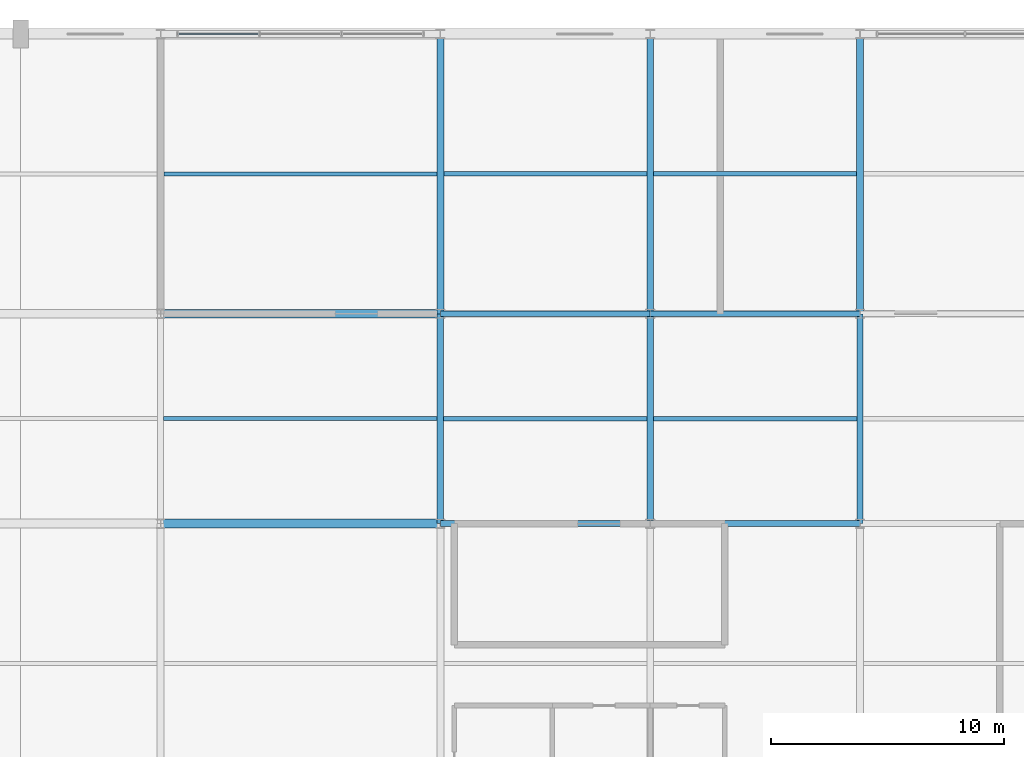
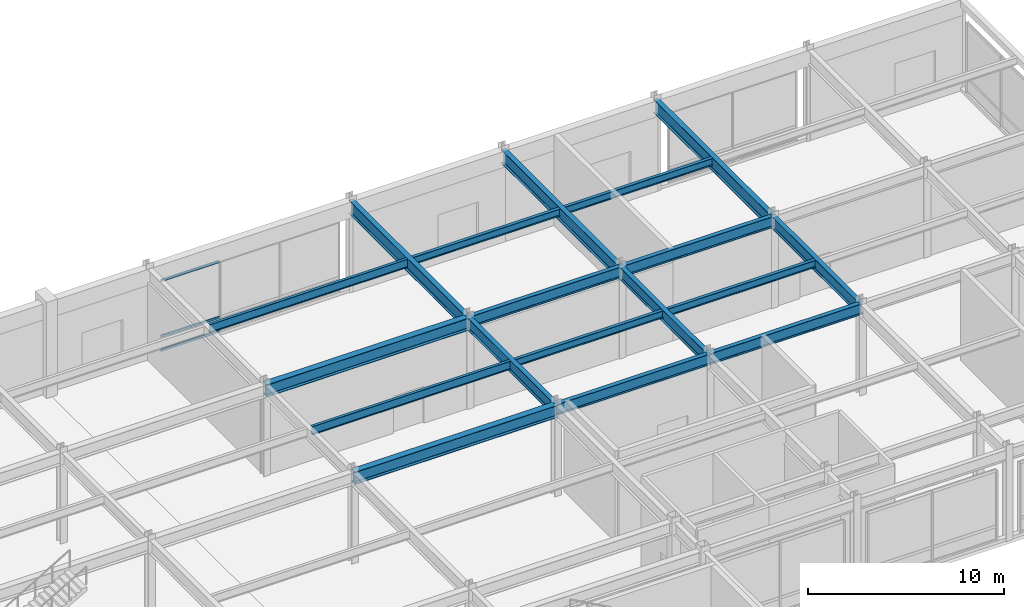
# One storey, part 63 of 105: 18 beams, 3 members, 1 element without a shape of its own.
"""IFC4 building model written with IfcOpenShell, lengths in metres."""

from ifc_helpers import new_model, si_unit, direction, frame, origin, origin_2d, place, context, subcontext, project, spatial, hollow_rectangle, i_section, extrude, material, material_profile, profile_set, type_object, element, aggregate, save


model = new_model("IFC4")

# Units and contexts
model_context = context("Model", 3, precision=1e-05, world=origin(), true_north=direction((0.0, 1.0)))
body_context = subcontext(model_context, "Body", "Model", "MODEL_VIEW")
ifc_project = project(units=[si_unit("LENGTHUNIT", "METRE"), si_unit("AREAUNIT", "SQUARE_METRE"), si_unit("VOLUMEUNIT", "CUBIC_METRE"), si_unit("PLANEANGLEUNIT", "RADIAN"), si_unit("MASSUNIT", "GRAM", prefix="KILO")], contexts=[model_context])

# Site, building, storey
site_placement = place(None, origin())
site = spatial("IfcSite", under=ifc_project, at=site_placement, CompositionType="ELEMENT")
building_placement = place(site_placement, origin())
building = spatial("IfcBuilding", under=site, at=building_placement, Name="Kaldorvane Square Convention Centre", CompositionType="ELEMENT")
storey_placement = place(building_placement, frame((0.0, 0.0, 6.0)))
storey = spatial("IfcBuildingStorey", under=building, at=storey_placement, Name="L01", CompositionType="ELEMENT", Elevation=6.0)

# Beams
ifc_material_1 = material(Name="Steel ASTM A992 Gr. 50", Category="steel")
ifc_material_profile_1 = material_profile(ifc_material_1, i_section(OverallWidth=0.25439453125, OverallDepth=0.6880950927734375, WebThickness=0.0131072998046875, FlangeThickness=0.0211029052734375, FilletRadius=0.01519775390625, at=origin_2d()), Name="W27X102")
ifc_profile_set_1 = profile_set([ifc_material_profile_1], Name="Steel ASTM A992 Gr. 50")
beam_type_1 = type_object("IfcBeamType", Name="BM-GR-W27X102", PredefinedType="BEAM", material=ifc_profile_set_1)
for number, where, z_axis, x_axis, name in (
    (1, (138.0, 96.0, 5.332000732421875), (1.0, 0.0, 0.0), (0.0, 1.0, 0.0), "Primary Girder (L01)"),
    (2, (147.0, 96.0, 5.332000732421875), (1.0, 0.0, 0.0), (0.0, 1.0, 0.0), "Primary Girder (L01)"),
    (3, (138.0, 105.0, 5.332000732421875), (1.0, 0.0, 0.0), (0.0, 1.0, 0.0), "Primary Girder (L01)"),
    (4, (147.0, 105.0, 5.332000732421875), (1.0, 0.0, 0.0), (0.0, 1.0, 0.0), "Primary Girder (L01)"),
):
    element("IfcBeam", number, at=place(storey_placement, frame(where, z_axis=z_axis, x_axis=x_axis)), inside=storey, type_object=beam_type_1, Name=name, PredefinedType="BEAM", context=body_context, shape_type="SweptSolid", body=[
        extrude(i_section(OverallWidth=0.25439453125, OverallDepth=0.6880950927734375, WebThickness=0.0131072998046875, FlangeThickness=0.0211029052734375, FilletRadius=0.01519775390625, at=origin_2d()), origin(), (0.0, 0.0, 1.0), 9.0),
    ])
ifc_material_profile_2 = material_profile(ifc_material_1, i_section(OverallWidth=0.2666015625, OverallDepth=0.762298583984375, WebThickness=0.014404296875, FlangeThickness=0.0216064453125, FilletRadius=0.0164947509765625, at=origin_2d()), Name="W30X116")
ifc_profile_set_2 = profile_set([ifc_material_profile_2], Name="Steel ASTM A992 Gr. 50")
beam_type_2 = type_object("IfcBeamType", Name="BM-GR-W30X116", PredefinedType="BEAM", material=ifc_profile_set_2)
for number, where, z_axis, x_axis, name in (
    (5, (138.0, 96.0, 5.2949066162109375), (0.0, 1.0, 0.0), (-1.0, 0.0, 0.0), "Transverse Girder (L01)"),
    (6, (147.0, 96.0, 5.2949066162109375), (0.0, 1.0, 0.0), (-1.0, 0.0, 0.0), "Transverse Girder (L01)"),
    (7, (156.0, 96.0, 5.2949066162109375), (0.0, 1.0, 0.0), (-1.0, 0.0, 0.0), "Transverse Girder (L01)"),
):
    element("IfcBeam", number, at=place(storey_placement, frame(where, z_axis=z_axis, x_axis=x_axis)), inside=storey, type_object=beam_type_2, Name=name, PredefinedType="BEAM", context=body_context, shape_type="SweptSolid", body=[
        extrude(i_section(OverallWidth=0.2666015625, OverallDepth=0.762298583984375, WebThickness=0.014404296875, FlangeThickness=0.0216064453125, FilletRadius=0.0164947509765625, at=origin_2d()), origin(), (0.0, 0.0, 1.0), 9.0),
    ])
ifc_material_profile_3 = material_profile(ifc_material_1, i_section(OverallWidth=0.380706787109375, OverallDepth=0.773193359375, WebThickness=0.0166015625, FlangeThickness=0.027099609375, FilletRadius=0.0164947509765625, at=origin_2d()), Name="W30X173")
ifc_profile_set_3 = profile_set([ifc_material_profile_3], Name="Steel ASTM A992 Gr. 50")
beam_type_3 = type_object("IfcBeamType", Name="BM-GR-W30X173", PredefinedType="BEAM", material=ifc_profile_set_3)
for number, where, z_axis, x_axis, name in (
    (8, (126.0, 96.0, 5.289398193359375), (1.0, 0.0, 0.0), (0.0, 1.0, 0.0), "Primary Girder (L01)"),
    (9, (126.0, 105.0, 5.289398193359375), (1.0, 0.0, 0.0), (0.0, 1.0, 0.0), "Primary Girder (L01)"),
):
    element("IfcBeam", number, at=place(storey_placement, frame(where, z_axis=z_axis, x_axis=x_axis)), inside=storey, type_object=beam_type_3, Name=name, PredefinedType="BEAM", context=body_context, shape_type="SweptSolid", body=[
        extrude(i_section(OverallWidth=0.380706787109375, OverallDepth=0.773193359375, WebThickness=0.0166015625, FlangeThickness=0.027099609375, FilletRadius=0.0164947509765625, at=origin_2d()), origin(), (0.0, 0.0, 1.0), 12.0),
    ])
ifc_material_profile_4 = material_profile(ifc_material_1, i_section(OverallWidth=0.292999267578125, OverallDepth=0.845794677734375, WebThickness=0.0153961181640625, FlangeThickness=0.0243988037109375, FilletRadius=0.0178070068359375, at=origin_2d()), Name="W33X141")
ifc_profile_set_4 = profile_set([ifc_material_profile_4], Name="Steel ASTM A992 Gr. 50")
beam_type_4 = type_object("IfcBeamType", Name="BM-GR-W33X141", PredefinedType="BEAM", material=ifc_profile_set_4)
for number, where, z_axis, x_axis, name in (
    (10, (138.0, 105.0, 5.2530975341796875), (0.0, 1.0, 0.0), (-1.0, 0.0, 0.0), "Transverse Girder (L01)"),
    (11, (147.0, 105.0, 5.2530975341796875), (0.0, 1.0, 0.0), (-1.0, 0.0, 0.0), "Transverse Girder (L01)"),
    (12, (156.0, 105.0, 5.2530975341796875), (0.0, 1.0, 0.0), (-1.0, 0.0, 0.0), "Transverse Girder (L01)"),
):
    element("IfcBeam", number, at=place(storey_placement, frame(where, z_axis=z_axis, x_axis=x_axis)), inside=storey, type_object=beam_type_4, Name=name, PredefinedType="BEAM", context=body_context, shape_type="SweptSolid", body=[
        extrude(i_section(OverallWidth=0.292999267578125, OverallDepth=0.845794677734375, WebThickness=0.0153961181640625, FlangeThickness=0.0243988037109375, FilletRadius=0.0178070068359375, at=origin_2d()), origin(), (0.0, 0.0, 1.0), 12.0),
    ])
ifc_material_profile_5 = material_profile(ifc_material_1, i_section(OverallWidth=0.1912994384765625, OverallDepth=0.4600067138671875, WebThickness=0.0099029541015625, FlangeThickness=0.0160064697265625, FilletRadius=0.01019287109375, at=origin_2d()), Name="W18X55")
ifc_profile_set_5 = profile_set([ifc_material_profile_5], Name="Steel ASTM A992 Gr. 50")
beam_type_5 = type_object("IfcBeamType", Name="BM-JS-W18X55", PredefinedType="JOIST", material=ifc_profile_set_5)
for number, where, z_axis, x_axis, name in (
    (13, (138.13330078125, 100.5, 5.4459991455078125), (1.0, 0.0, 0.0), (0.0, 1.0, 0.0), "Secondary Floor Joist (L01)"),
    (14, (147.13330078125, 100.5, 5.4459991455078125), (1.0, 0.0, 0.0), (0.0, 1.0, 0.0), "Secondary Floor Joist (L01)"),
):
    element("IfcBeam", number, at=place(storey_placement, frame(where, z_axis=z_axis, x_axis=x_axis)), inside=storey, type_object=beam_type_5, Name=name, PredefinedType="JOIST", context=body_context, shape_type="SweptSolid", body=[
        extrude(i_section(OverallWidth=0.1912994384765625, OverallDepth=0.4600067138671875, WebThickness=0.0099029541015625, FlangeThickness=0.0160064697265625, FilletRadius=0.01019287109375, at=origin_2d()), origin(), (0.0, 0.0, 1.0), 8.7333984375),
    ])
for number, where, z_axis, x_axis, name in (
    (15, (138.14649963378906, 111.0, 5.4459991455078125), (1.0, 0.0, 0.0), (0.0, 1.0, 0.0), "Secondary Floor Joist (L01)"),
    (16, (147.14649963378906, 111.0, 5.4459991455078125), (1.0, 0.0, 0.0), (0.0, 1.0, 0.0), "Secondary Floor Joist (L01)"),
):
    element("IfcBeam", number, at=place(storey_placement, frame(where, z_axis=z_axis, x_axis=x_axis)), inside=storey, type_object=beam_type_5, Name=name, PredefinedType="JOIST", context=body_context, shape_type="SweptSolid", body=[
        extrude(i_section(OverallWidth=0.1912994384765625, OverallDepth=0.4600067138671875, WebThickness=0.0099029541015625, FlangeThickness=0.0160064697265625, FilletRadius=0.01019287109375, at=origin_2d()), origin(), (0.0, 0.0, 1.0), 8.707000732421875),
    ])
ifc_material_profile_6 = material_profile(ifc_material_1, i_section(OverallWidth=0.1658935546875, OverallDepth=0.5290985107421875, WebThickness=0.00970458984375, FlangeThickness=0.0135955810546875, FilletRadius=0.0126953125, at=origin_2d()), Name="W21X50")
ifc_profile_set_6 = profile_set([ifc_material_profile_6], Name="Steel ASTM A992 Gr. 50")
beam_type_6 = type_object("IfcBeamType", Name="BM-JS-W21X50", PredefinedType="JOIST", material=ifc_profile_set_6)
beam_1_placement = place(storey_placement, frame((126.13330078125, 100.5, 5.4114990234375), z_axis=(1.0, 0.0, 0.0), x_axis=(0.0, 1.0, 0.0)))
element("IfcBeam", 17, at=beam_1_placement, inside=storey, type_object=beam_type_6, Name="Secondary Floor Joist (L01)", PredefinedType="JOIST", context=body_context, shape_type="SweptSolid", body=[
    extrude(i_section(OverallWidth=0.1658935546875, OverallDepth=0.5290985107421875, WebThickness=0.00970458984375, FlangeThickness=0.0135955810546875, FilletRadius=0.0126953125, at=origin_2d()), origin(), (0.0, 0.0, 1.0), 11.7333984375),
])
beam_2_placement = place(storey_placement, frame((126.14649963378906, 111.0, 5.4114990234375), z_axis=(1.0, 0.0, 0.0), x_axis=(0.0, 1.0, 0.0)))
element("IfcBeam", 18, at=beam_2_placement, inside=storey, type_object=beam_type_6, Name="Secondary Floor Joist (L01)", PredefinedType="JOIST", context=body_context, shape_type="SweptSolid", body=[
    extrude(i_section(OverallWidth=0.1658935546875, OverallDepth=0.5290985107421875, WebThickness=0.00970458984375, FlangeThickness=0.0135955810546875, FilletRadius=0.0126953125, at=origin_2d()), origin(), (0.0, 0.0, 1.0), 11.707000732421875),
])

# Curtain wall, members
ifc_material_2 = material(Name="Anodized Aluminum and Low-E Insulated Glazing", Category="aluminium")
curtain_wall_type = type_object("IfcCurtainWallType", Name="CW-UNI-P60-09", PredefinedType="USERDEFINED", material=ifc_material_2)
curtain_wall_placement = place(storey_placement, origin())
curtain_wall = element("IfcCurtainWall", 19, at=curtain_wall_placement, inside=storey, type_object=curtain_wall_type, Name="Curtain Wall CW-02 (L01)", ObjectType="UNITISED GLAZING", PredefinedType="USERDEFINED")
ifc_material_profile_7 = material_profile(ifc_material_2, hollow_rectangle(XDim=0.05999755859375, YDim=0.149993896484375, WallThickness=0.003204345703125, at=origin_2d()), Name="CWT-150X60")
ifc_profile_set_7 = profile_set([ifc_material_profile_7], Name="Anodized Aluminum and Low-E Insulated Glazing")
member_type = type_object("IfcMemberType", Name="CW-TRN-150", PredefinedType="USERDEFINED", material=ifc_profile_set_7)
member_1_placement = place(storey_placement, frame((130.20083618164062, 117.0, 0.17999267578125), z_axis=(-1.0, 0.0, 0.0), x_axis=(0.0, -1.0, 0.0)))
member_1 = element("IfcMember", 20, at=member_1_placement, type_object=member_type, Name="CW-02 transom 3.1", ObjectType="TRANSOM", PredefinedType="USERDEFINED", context=body_context, shape_type="SweptSolid", body=[
    extrude(hollow_rectangle(XDim=0.05999755859375, YDim=0.149993896484375, WallThickness=0.003204345703125, at=origin_2d()), origin(), (0.0, 0.0, 1.0), 3.4358367919921875),
])
member_2_placement = place(storey_placement, frame((130.20083618164062, 117.0, 1.0500030517578125), z_axis=(-1.0, 0.0, 0.0), x_axis=(0.0, -1.0, 0.0)))
member_2 = element("IfcMember", 21, at=member_2_placement, type_object=member_type, Name="CW-02 transom 3.2", ObjectType="TRANSOM", PredefinedType="USERDEFINED", context=body_context, shape_type="SweptSolid", body=[
    extrude(hollow_rectangle(XDim=0.05999755859375, YDim=0.149993896484375, WallThickness=0.003204345703125, at=origin_2d()), origin(), (0.0, 0.0, 1.0), 3.4358367919921875),
])
member_3_placement = place(storey_placement, frame((130.20083618164062, 117.0, 4.529998779296875), z_axis=(-1.0, 0.0, 0.0), x_axis=(0.0, -1.0, 0.0)))
member_3 = element("IfcMember", 22, at=member_3_placement, type_object=member_type, Name="CW-02 transom 3.3", ObjectType="TRANSOM", PredefinedType="USERDEFINED", context=body_context, shape_type="SweptSolid", body=[
    extrude(hollow_rectangle(XDim=0.05999755859375, YDim=0.149993896484375, WallThickness=0.003204345703125, at=origin_2d()), origin(), (0.0, 0.0, 1.0), 3.4358367919921875),
])
aggregate(curtain_wall, [member_1, member_2, member_3])

save(model, "model.ifc")
